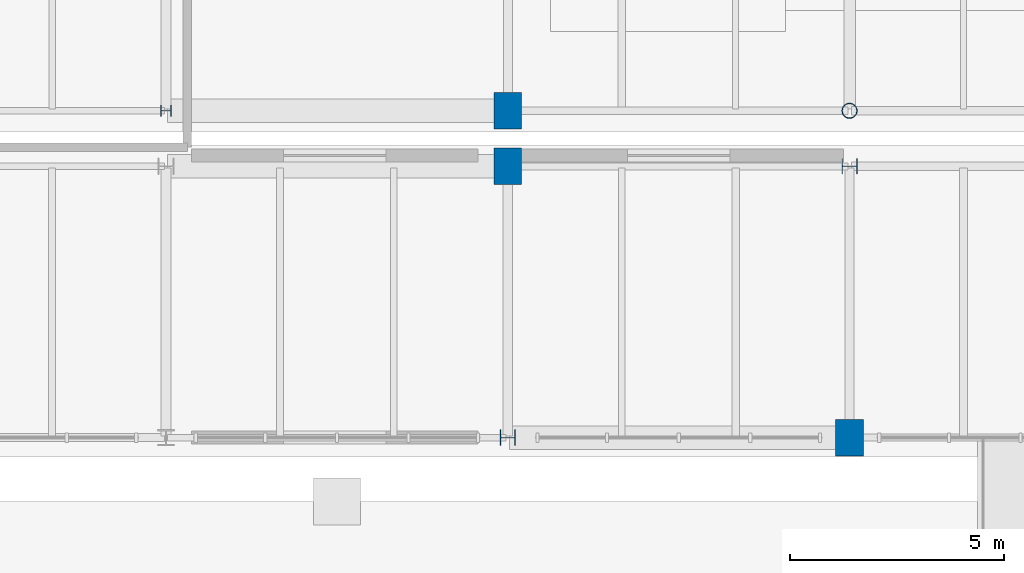
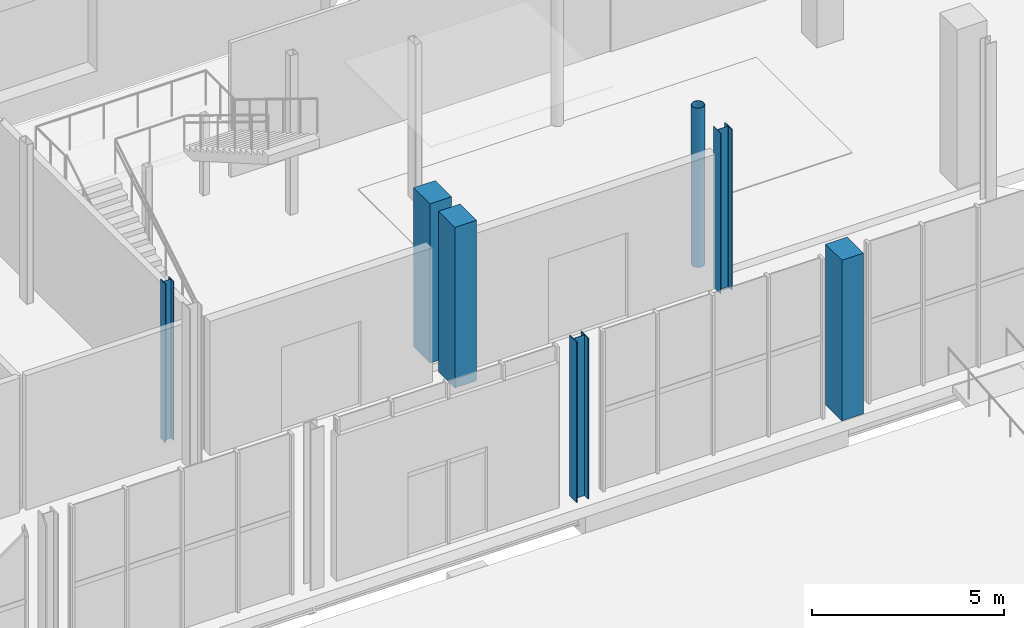
# One storey, part 13 of 87: 7 columns.
"""IFC4 building model written with IfcOpenShell, lengths in metres."""

from ifc_helpers import new_model, si_unit, direction, frame, origin, origin_2d, place, context, subcontext, project, spatial, rectangle, hollow_circle, i_section, extrude, material, material_profile, profile_set, type_object, element, save


model = new_model("IFC4")

# Units and contexts
model_context = context("Model", 3, precision=1e-05, world=origin(), true_north=direction((0.0, 1.0)))
body_context = subcontext(model_context, "Body", "Model", "MODEL_VIEW")
ifc_project = project(units=[si_unit("LENGTHUNIT", "METRE"), si_unit("AREAUNIT", "SQUARE_METRE"), si_unit("VOLUMEUNIT", "CUBIC_METRE"), si_unit("PLANEANGLEUNIT", "RADIAN"), si_unit("MASSUNIT", "GRAM", prefix="KILO")], contexts=[model_context])

# Site, building, storey
site_placement = place(None, origin())
site = spatial("IfcSite", under=ifc_project, at=site_placement, CompositionType="ELEMENT")
building_placement = place(site_placement, origin())
building = spatial("IfcBuilding", under=site, at=building_placement, Name="Brisemont Oceanarium", CompositionType="ELEMENT")
storey_placement = place(building_placement, origin())
storey = spatial("IfcBuildingStorey", under=building, at=storey_placement, Name="L00", CompositionType="ELEMENT", Elevation=0.0)

# Columns
ifc_material_1 = material(Name="Structural Steel ASTM A500 Gr.C", Category="steel")
ifc_material_profile_1 = material_profile(ifc_material_1, hollow_circle(Radius=0.177978515625, WallThickness=0.01171875, at=origin_2d()), Name="HSS14.000X0.500")
ifc_profile_set_1 = profile_set([ifc_material_profile_1], Name="Structural Steel ASTM A500 Gr.C")
column_type_1 = type_object("IfcColumnType", Name="COL-CHS14", PredefinedType="COLUMN", material=ifc_profile_set_1)
column_1_placement = place(storey_placement, frame((96.0, 32.64990234375, 0.0), z_axis=(0.0, 0.0, 1.0), x_axis=(0.0, 1.0, 0.0)))
element("IfcColumn", 1, at=column_1_placement, inside=storey, type_object=column_type_1, Name="V1 L00 column (5,0)", PredefinedType="COLUMN", context=body_context, shape_type="SweptSolid", body=[
    extrude(hollow_circle(Radius=0.177978515625, WallThickness=0.01171875, at=origin_2d()), origin(), (0.0, 0.0, 1.0), 5.080078125),
])
ifc_material_2 = material(Name="Structural Steel ASTM A992 Gr.50", Category="steel")
ifc_material_profile_2 = material_profile(ifc_material_2, i_section(OverallWidth=0.25390625, OverallDepth=0.25390625, WebThickness=0.008544921875, FlangeThickness=0.01416015625, FilletRadius=0.010986328125, at=origin_2d()), Name="W10X49")
ifc_profile_set_2 = profile_set([ifc_material_profile_2], Name="Structural Steel ASTM A992 Gr.50")
column_type_2 = type_object("IfcColumnType", Name="COL-W10X49", PredefinedType="COLUMN", material=ifc_profile_set_2)
column_2_placement = place(storey_placement, frame((80.0, 32.64990234375, 0.0), z_axis=(0.0, 0.0, 1.0), x_axis=(0.0, 1.0, 0.0)))
element("IfcColumn", 2, at=column_2_placement, inside=storey, type_object=column_type_2, Name="V1 L00 column (3,0)", PredefinedType="COLUMN", context=body_context, shape_type="SweptSolid", body=[
    extrude(i_section(OverallWidth=0.25390625, OverallDepth=0.25390625, WebThickness=0.008544921875, FlangeThickness=0.01416015625, FilletRadius=0.010986328125, at=origin_2d()), origin(), (0.0, 0.0, 1.0), 5.080078125),
])
ifc_material_3 = material(Name="Structural Steel ASTM A992 Gr.50", Category="steel")
ifc_material_profile_3 = material_profile(ifc_material_3, i_section(OverallWidth=0.3740234375, OverallDepth=0.3720703125, WebThickness=0.016357421875, FlangeThickness=0.026123046875, FilletRadius=0.014892578125, at=origin_2d()), Name="W14X132")
ifc_profile_set_3 = profile_set([ifc_material_profile_3], Name="Structural Steel ASTM A992 Gr.50")
column_type_3 = type_object("IfcColumnType", Name="COL-W14X132", PredefinedType="COLUMN", material=ifc_profile_set_3)
column_3_placement = place(storey_placement, frame((88.0, 25.0, 0.0), z_axis=(0.0, 0.0, 1.0), x_axis=(0.0, 1.0, 0.0)))
element("IfcColumn", 3, at=column_3_placement, inside=storey, type_object=column_type_3, Name="V1P L00 column (3,0)", PredefinedType="COLUMN", context=body_context, shape_type="SweptSolid", body=[
    extrude(i_section(OverallWidth=0.3740234375, OverallDepth=0.3720703125, WebThickness=0.016357421875, FlangeThickness=0.026123046875, FilletRadius=0.014892578125, at=origin_2d()), origin(), (0.0, 0.0, 1.0), 5.1201171875),
])
ifc_material_4 = material(Name="Structural Steel ASTM A992 Gr.50", Category="steel")
ifc_material_profile_4 = material_profile(ifc_material_4, i_section(OverallWidth=0.37109375, OverallDepth=0.361083984375, WebThickness=0.01220703125, FlangeThickness=0.019775390625, FilletRadius=0.014892578125, at=origin_2d()), Name="W14X99")
ifc_profile_set_4 = profile_set([ifc_material_profile_4], Name="Structural Steel ASTM A992 Gr.50")
column_type_4 = type_object("IfcColumnType", Name="COL-W14X99", PredefinedType="COLUMN", material=ifc_profile_set_4)
column_4_placement = place(storey_placement, frame((96.0, 31.35009765625, 0.0), z_axis=(0.0, 0.0, 1.0), x_axis=(0.0, 1.0, 0.0)))
element("IfcColumn", 4, at=column_4_placement, inside=storey, type_object=column_type_4, Name="V1P L00 column (4,1)", PredefinedType="COLUMN", context=body_context, shape_type="SweptSolid", body=[
    extrude(i_section(OverallWidth=0.37109375, OverallDepth=0.361083984375, WebThickness=0.01220703125, FlangeThickness=0.019775390625, FilletRadius=0.014892578125, at=origin_2d()), origin(), (0.0, 0.0, 1.0), 5.1201171875),
])
ifc_material_5 = material(Name="Precast Concrete C40/50", Category="concrete")
ifc_material_profile_5 = material_profile(ifc_material_5, rectangle(XDim=0.64990234375, YDim=0.85009765625, at=origin_2d()), Name="RC-PIL-650X850")
ifc_profile_set_5 = profile_set([ifc_material_profile_5], Name="Precast Concrete C40/50")
column_type_5 = type_object("IfcColumnType", Name="PIL-RC650X850", PredefinedType="PILASTER", material=ifc_profile_set_5)
column_5_placement = place(storey_placement, frame((88.0, 32.64990234375, 0.0), z_axis=(0.0, 0.0, 1.0), x_axis=(1.0, 0.0, 0.0)))
element("IfcColumn", 5, at=column_5_placement, inside=storey, type_object=column_type_5, Name="V1 L00 column (4,0)", PredefinedType="PILASTER", context=body_context, shape_type="SweptSolid", body=[
    extrude(rectangle(XDim=0.64990234375, YDim=0.85009765625, at=origin_2d()), origin(), (0.0, 0.0, 1.0), 5.080078125),
])
for number, where, z_axis, x_axis, name in (
    (6, (88.0, 31.35009765625, 0.0), (0.0, 0.0, 1.0), (1.0, 0.0, 0.0), "V1P L00 column (3,1)"),
    (7, (96.0, 25.0, 0.0), (0.0, 0.0, 1.0), (1.0, 0.0, 0.0), "V1P L00 column (4,0)"),
):
    element("IfcColumn", number, at=place(storey_placement, frame(where, z_axis=z_axis, x_axis=x_axis)), inside=storey, type_object=column_type_5, Name=name, PredefinedType="PILASTER", context=body_context, shape_type="SweptSolid", body=[
        extrude(rectangle(XDim=0.64990234375, YDim=0.85009765625, at=origin_2d()), origin(), (0.0, 0.0, 1.0), 5.1201171875),
    ])

save(model, "model.ifc")
